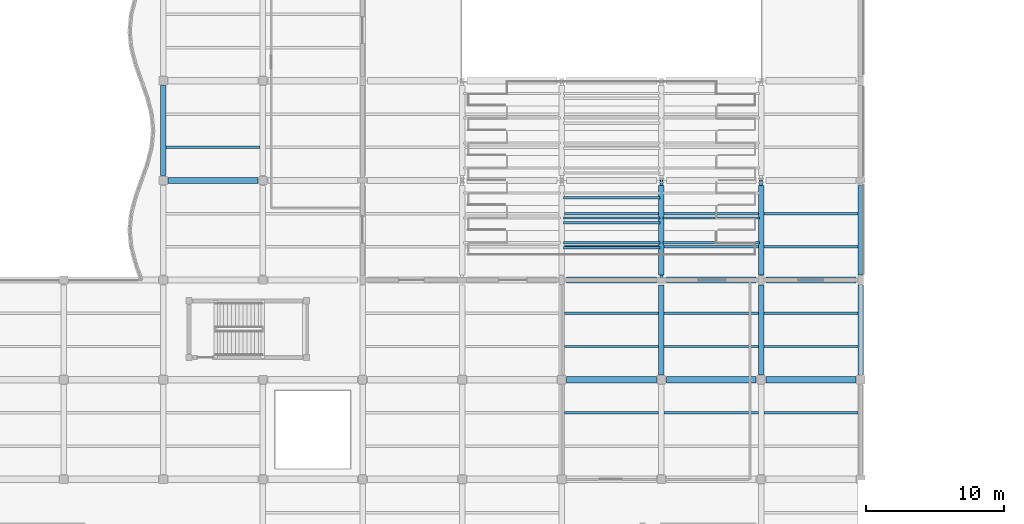
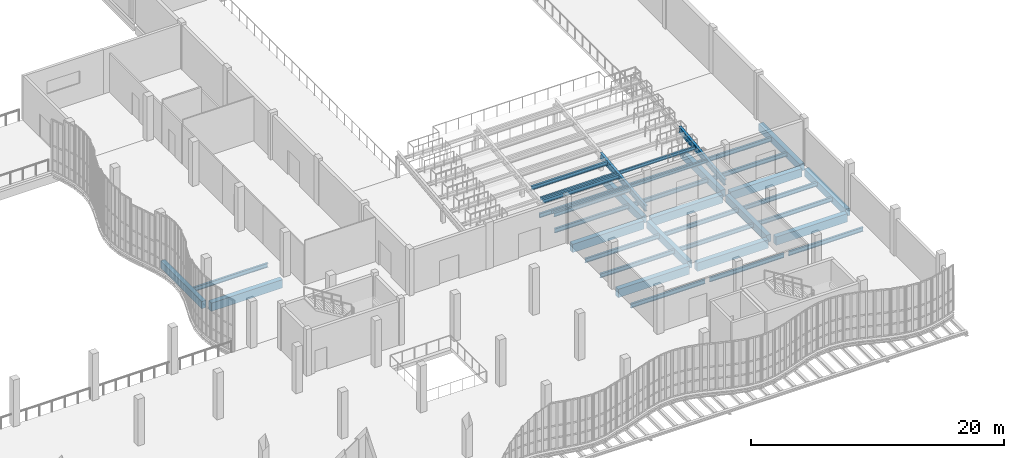
# One storey, part 36 of 105: 39 beams.
"""IFC4 building model written with IfcOpenShell, lengths in metres."""

from ifc_helpers import new_model, si_unit, direction, frame, origin, origin_2d, place, context, subcontext, project, spatial, rectangle, i_section, extrude, material, material_profile, profile_set, type_object, element, save


model = new_model("IFC4")

# Units and contexts
model_context = context("Model", 3, precision=1e-05, world=origin(), true_north=direction((0.0, 1.0)))
body_context = subcontext(model_context, "Body", "Model", "MODEL_VIEW")
ifc_project = project(units=[si_unit("LENGTHUNIT", "METRE"), si_unit("AREAUNIT", "SQUARE_METRE"), si_unit("VOLUMEUNIT", "CUBIC_METRE"), si_unit("PLANEANGLEUNIT", "RADIAN"), si_unit("MASSUNIT", "GRAM", prefix="KILO"), si_unit("THERMODYNAMICTEMPERATUREUNIT", "KELVIN"), si_unit("POWERUNIT", "WATT")], contexts=[model_context])

# Site, building, storey
site_placement = place(None, origin())
site = spatial("IfcSite", under=ifc_project, at=site_placement, CompositionType="ELEMENT")
building_placement = place(site_placement, origin())
building = spatial("IfcBuilding", under=site, at=building_placement, Name="Kaldorven Railside Theatre", CompositionType="ELEMENT")
storey_placement = place(building_placement, frame((0.0, 0.0, 9.89990234375)))
storey = spatial("IfcBuildingStorey", under=building, at=storey_placement, Name="L02", CompositionType="ELEMENT", Elevation=9.89990234375)

# Beams
ifc_material_1 = material(Name="Steel S355", Category="steel")
ifc_material_profile_1 = material_profile(ifc_material_1, i_section(OverallWidth=0.14990234375, OverallDepth=0.300048828125, WebThickness=0.007080078125, FlangeThickness=0.0107421875, at=origin_2d()), Name="IPE 300")
ifc_profile_set_1 = profile_set([ifc_material_profile_1], Name="Steel S355")
beam_type_1 = type_object("IfcBeamType", Name="BM-IPE300", PredefinedType="JOIST", material=ifc_profile_set_1)
for number, where, z_axis, x_axis, name in (
    (1, (101.7099609375, 43.5, 1.1201171875), (1.0, 0.0, 0.0), (0.0, 1.0, 0.0), "Seating Tier Transverse Bearer TBR-V1U-022"),
    (2, (108.909912109375, 43.5, 1.1201171875), (1.0, 0.0, 0.0), (0.0, 1.0, 0.0), "Seating Tier Transverse Bearer TBR-V1U-023"),
    (3, (101.7099609375, 45.300048828125, 1.320068359375), (1.0, 0.0, 0.0), (0.0, 1.0, 0.0), "Seating Tier Transverse Bearer TBR-V1U-032"),
    (4, (108.909912109375, 45.300048828125, 1.320068359375), (1.0, 0.0, 0.0), (0.0, 1.0, 0.0), "Seating Tier Transverse Bearer TBR-V1U-033"),
):
    element("IfcBeam", number, at=place(storey_placement, frame(where, z_axis=z_axis, x_axis=x_axis)), inside=storey, type_object=beam_type_1, Name=name, PredefinedType="JOIST", context=body_context, shape_type="SweptSolid", body=[
        extrude(i_section(OverallWidth=0.14990234375, OverallDepth=0.300048828125, WebThickness=0.007080078125, FlangeThickness=0.0107421875, at=origin_2d()), origin(), (0.0, 0.0, 1.0), 6.97998046875),
    ])
ifc_material_profile_2 = material_profile(ifc_material_1, i_section(OverallWidth=0.169921875, OverallDepth=0.360107421875, WebThickness=0.008056640625, FlangeThickness=0.0126953125, at=origin_2d()), Name="IPE 360")
ifc_profile_set_2 = profile_set([ifc_material_profile_2], Name="Steel S355")
beam_type_2 = type_object("IfcBeamType", Name="BM-IPE360", PredefinedType="JOIST", material=ifc_profile_set_2)
for number, where, z_axis, x_axis, name in (
    (5, (101.7099609375, 43.139892578125, 1.090087890625), (1.0, 0.0, 0.0), (0.0, 1.0, 0.0), "Seating Tier Front Step Bearer TBF-V1U-02"),
    (6, (101.7099609375, 44.93994140625, 1.2900390625), (1.0, 0.0, 0.0), (0.0, 1.0, 0.0), "Seating Tier Front Step Bearer TBF-V1U-03"),
    (7, (101.7099609375, 46.739990234375, 1.489990234375), (1.0, 0.0, 0.0), (0.0, 1.0, 0.0), "Seating Tier Front Step Bearer TBF-V1U-04"),
):
    element("IfcBeam", number, at=place(storey_placement, frame(where, z_axis=z_axis, x_axis=x_axis)), inside=storey, type_object=beam_type_2, Name=name, PredefinedType="JOIST", context=body_context, shape_type="SweptSolid", body=[
        extrude(i_section(OverallWidth=0.169921875, OverallDepth=0.360107421875, WebThickness=0.008056640625, FlangeThickness=0.0126953125, at=origin_2d()), origin(), (0.0, 0.0, 1.0), 6.97998046875),
    ])
ifc_material_profile_3 = material_profile(ifc_material_1, i_section(OverallWidth=0.179931640625, OverallDepth=0.39990234375, WebThickness=0.008544921875, FlangeThickness=0.013427734375, at=origin_2d()), Name="IPE 400")
ifc_profile_set_3 = profile_set([ifc_material_profile_3], Name="Steel S355")
beam_type_3 = type_object("IfcBeamType", Name="BM-IPE400", PredefinedType="JOIST", material=ifc_profile_set_3)
for number, where, z_axis, x_axis, name in (
    (8, (101.800048828125, 31.199951171875, -0.47998046875), (1.0, 0.0, 0.0), (0.0, 1.0, 0.0), "L02 Secondary Floor Joist JG-L02-101-0312"),
    (9, (109.0, 31.199951171875, -0.47998046875), (1.0, 0.0, 0.0), (0.0, 1.0, 0.0), "L02 Secondary Floor Joist JG-L02-108-0312"),
    (10, (116.199951171875, 31.199951171875, -0.47998046875), (1.0, 0.0, 0.0), (0.0, 1.0, 0.0), "L02 Secondary Floor Joist JG-L02-116-0312"),
    (11, (101.800048828125, 36.0, -0.47998046875), (1.0, 0.0, 0.0), (0.0, 1.0, 0.0), "L02 Secondary Floor Joist JG-L02-101-0360"),
    (12, (101.800048828125, 38.39990234375, -0.47998046875), (1.0, 0.0, 0.0), (0.0, 1.0, 0.0), "L02 Secondary Floor Joist JG-L02-101-0384"),
    (13, (109.0, 36.0, -0.47998046875), (1.0, 0.0, 0.0), (0.0, 1.0, 0.0), "L02 Secondary Floor Joist JG-L02-108-0360"),
    (14, (109.0, 38.39990234375, -0.47998046875), (1.0, 0.0, 0.0), (0.0, 1.0, 0.0), "L02 Secondary Floor Joist JG-L02-108-0384"),
    (15, (116.199951171875, 36.0, -0.47998046875), (1.0, 0.0, 0.0), (0.0, 1.0, 0.0), "L02 Secondary Floor Joist JG-L02-116-0360"),
    (16, (116.199951171875, 38.39990234375, -0.47998046875), (1.0, 0.0, 0.0), (0.0, 1.0, 0.0), "L02 Secondary Floor Joist JG-L02-116-0384"),
    (17, (101.800048828125, 43.199951171875, -0.5), (1.0, 0.0, 0.0), (0.0, 1.0, 0.0), "L02 Secondary Floor Joist JG-L02-101-0432"),
    (18, (101.800048828125, 45.60009765625, -0.5), (1.0, 0.0, 0.0), (0.0, 1.0, 0.0), "L02 Secondary Floor Joist JG-L02-101-0456"),
    (19, (109.0, 43.199951171875, -0.5), (1.0, 0.0, 0.0), (0.0, 1.0, 0.0), "L02 Secondary Floor Joist JG-L02-108-0432"),
    (20, (109.0, 45.60009765625, -0.5), (1.0, 0.0, 0.0), (0.0, 1.0, 0.0), "L02 Secondary Floor Joist JG-L02-108-0456"),
    (21, (116.199951171875, 43.199951171875, -0.5), (1.0, 0.0, 0.0), (0.0, 1.0, 0.0), "L02 Secondary Floor Joist JG-L02-116-0432"),
    (22, (116.199951171875, 45.60009765625, -0.5), (1.0, 0.0, 0.0), (0.0, 1.0, 0.0), "L02 Secondary Floor Joist JG-L02-116-0456"),
    (23, (73.0, 50.39990234375, -0.449951171875), (1.0, 0.0, 0.0), (0.0, 1.0, 0.0), "L02 Secondary Floor Joist JG-L02-072-0504"),
):
    element("IfcBeam", number, at=place(storey_placement, frame(where, z_axis=z_axis, x_axis=x_axis)), inside=storey, type_object=beam_type_3, Name=name, PredefinedType="JOIST", context=body_context, shape_type="SweptSolid", body=[
        extrude(i_section(OverallWidth=0.179931640625, OverallDepth=0.39990234375, WebThickness=0.008544921875, FlangeThickness=0.013427734375, at=origin_2d()), origin(), (0.0, 0.0, 1.0), 6.800048828125),
    ])
ifc_material_profile_4 = material_profile(ifc_material_1, i_section(OverallWidth=0.219970703125, OverallDepth=0.60009765625, WebThickness=0.011962890625, FlangeThickness=0.01904296875, at=origin_2d()), Name="IPE 600")
ifc_profile_set_4 = profile_set([ifc_material_profile_4], Name="Steel S355")
beam_type_4 = type_object("IfcBeamType", Name="BM-IPE600", PredefinedType="USERDEFINED", material=ifc_profile_set_4)
for number, where, z_axis, x_axis, name in (
    (24, (108.800048828125, 40.800048828125, 0.630126953125), (0.0, 0.993882912665, 0.110438923902), (-1.0, 0.0, 0.0), "Auditorium Raker Girder RKG-V1U-31"),
    (25, (116.0, 40.800048828125, 0.630126953125), (0.0, 0.993882912665, 0.110438923902), (-1.0, 0.0, 0.0), "Auditorium Raker Girder RKG-V1U-41"),
):
    element("IfcBeam", number, at=place(storey_placement, frame(where, z_axis=z_axis, x_axis=x_axis)), inside=storey, type_object=beam_type_4, Name=name, ObjectType="RAKER BEAM", PredefinedType="USERDEFINED", context=body_context, shape_type="SweptSolid", body=[
        extrude(i_section(OverallWidth=0.219970703125, OverallDepth=0.60009765625, WebThickness=0.011962890625, FlangeThickness=0.01904296875, at=origin_2d()), origin(), (0.0, 0.0, 1.0), 7.244384765625),
    ])
ifc_material_2 = material(Name="Concrete C40/50", Category="concrete")
ifc_material_profile_5 = material_profile(ifc_material_2, rectangle(XDim=0.39990234375, YDim=0.699951171875, at=origin_2d()), Name="RC 400x700")
ifc_profile_set_5 = profile_set([ifc_material_profile_5], Name="Concrete C40/50")
beam_type_5 = type_object("IfcBeamType", Name="BM-RC400x700", PredefinedType="BEAM", material=ifc_profile_set_5)
for number, where, z_axis, x_axis, name in (
    (26, (108.800048828125, 33.949951171875, -0.6298828125), (0.0, 1.0, 0.0), (-1.0, 0.0, 0.0), "L02 Girder BGY-L02-108-033-72"),
    (27, (116.0, 33.949951171875, -0.6298828125), (0.0, 1.0, 0.0), (-1.0, 0.0, 0.0), "L02 Girder BGY-L02-116-033-72"),
    (28, (123.199951171875, 33.949951171875, -0.6298828125), (0.0, 1.0, 0.0), (-1.0, 0.0, 0.0), "L02 Girder BGY-L02-123-033-72"),
    (29, (108.800048828125, 41.14990234375, -0.64990234375), (0.0, 1.0, 0.0), (-1.0, 0.0, 0.0), "L02 Girder BGY-L02-108-040-72"),
    (30, (116.0, 41.14990234375, -0.64990234375), (0.0, 1.0, 0.0), (-1.0, 0.0, 0.0), "L02 Girder BGY-L02-116-040-72"),
    (31, (123.199951171875, 41.14990234375, -0.64990234375), (0.0, 1.0, 0.0), (-1.0, 0.0, 0.0), "L02 Girder BGY-L02-123-040-72"),
    (32, (72.800048828125, 48.35009765625, -0.599853515625), (0.0, 1.0, 0.0), (-1.0, 0.0, 0.0), "L02 Girder BGY-L02-072-048-72"),
):
    element("IfcBeam", number, at=place(storey_placement, frame(where, z_axis=z_axis, x_axis=x_axis)), inside=storey, type_object=beam_type_5, Name=name, PredefinedType="BEAM", context=body_context, shape_type="SweptSolid", body=[
        extrude(rectangle(XDim=0.39990234375, YDim=0.699951171875, at=origin_2d()), origin(), (0.0, 0.0, 1.0), 6.5),
    ])
ifc_material_profile_6 = material_profile(ifc_material_2, rectangle(XDim=0.449951171875, YDim=0.800048828125, at=origin_2d()), Name="RC 450x800")
ifc_profile_set_6 = profile_set([ifc_material_profile_6], Name="Concrete C40/50")
beam_type_6 = type_object("IfcBeamType", Name="BM-RC450x800", PredefinedType="BEAM", material=ifc_profile_set_6)
for number, where, z_axis, x_axis, name in (
    (33, (101.949951171875, 33.60009765625, -0.679931640625), (1.0, 0.0, 0.0), (0.0, 1.0, 0.0), "L02 Girder BGX-L02-101-033"),
    (34, (109.14990234375, 33.60009765625, -0.679931640625), (1.0, 0.0, 0.0), (0.0, 1.0, 0.0), "L02 Girder BGX-L02-108-033"),
    (35, (116.35009765625, 33.60009765625, -0.679931640625), (1.0, 0.0, 0.0), (0.0, 1.0, 0.0), "L02 Girder BGX-L02-116-033"),
    (36, (101.949951171875, 40.800048828125, -0.699951171875), (1.0, 0.0, 0.0), (0.0, 1.0, 0.0), "L02 Girder BGX-L02-101-040"),
    (37, (109.14990234375, 40.800048828125, -0.699951171875), (1.0, 0.0, 0.0), (0.0, 1.0, 0.0), "L02 Girder BGX-L02-108-040"),
    (38, (116.35009765625, 40.800048828125, -0.699951171875), (1.0, 0.0, 0.0), (0.0, 1.0, 0.0), "L02 Girder BGX-L02-116-040"),
    (39, (73.14990234375, 48.0, -0.64990234375), (1.0, 0.0, 0.0), (0.0, 1.0, 0.0), "L02 Girder BGX-L02-072-048"),
):
    element("IfcBeam", number, at=place(storey_placement, frame(where, z_axis=z_axis, x_axis=x_axis)), inside=storey, type_object=beam_type_6, Name=name, PredefinedType="BEAM", context=body_context, shape_type="SweptSolid", body=[
        extrude(rectangle(XDim=0.449951171875, YDim=0.800048828125, at=origin_2d()), origin(), (0.0, 0.0, 1.0), 6.5),
    ])

save(model, "model.ifc")
